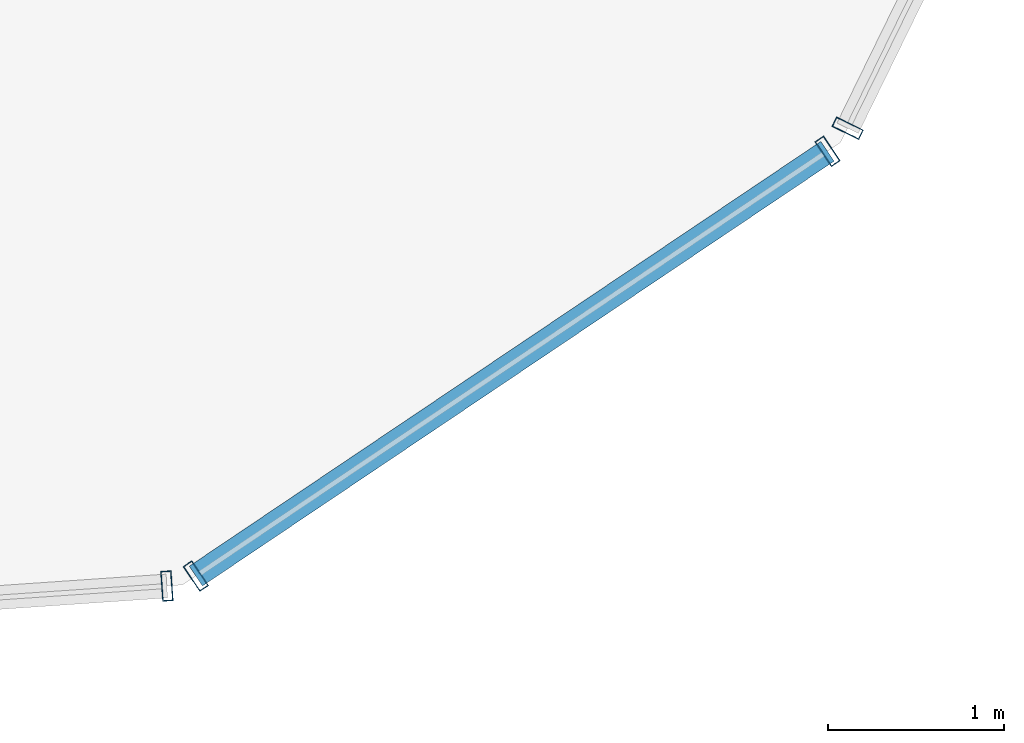
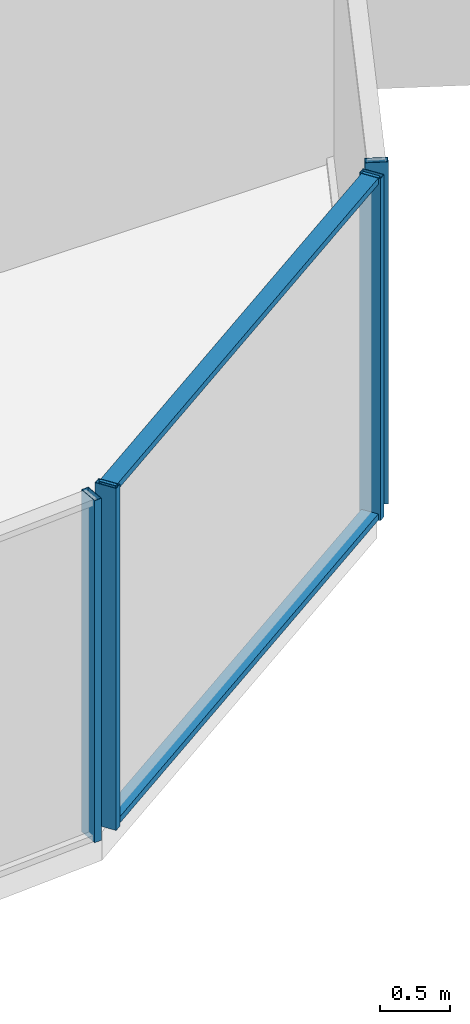
# One storey, part 14 of 37: 6 members, 3 elements without a shape of their own.
"""IFC4 building model written with IfcOpenShell, lengths in metres."""

from ifc_helpers import new_model, si_unit, direction, frame, origin, origin_2d, place, context, subcontext, project, spatial, hollow_rectangle, extrude, source, transform, mapped, material, layer, layer_set, material_profile, profile_set, type_object, element, aggregate, save


model = new_model("IFC4")

# Units and contexts
model_context = context("Model", 3, precision=1e-05, world=origin(), true_north=direction((0.0, 1.0)))
body_context = subcontext(model_context, "Body", "Model", "MODEL_VIEW")
ifc_project = project(units=[si_unit("LENGTHUNIT", "METRE"), si_unit("AREAUNIT", "SQUARE_METRE"), si_unit("VOLUMEUNIT", "CUBIC_METRE"), si_unit("PLANEANGLEUNIT", "RADIAN"), si_unit("MASSUNIT", "GRAM", prefix="KILO")], contexts=[model_context])

# Site, building, storey
site_placement = place(None, origin())
site = spatial("IfcSite", under=ifc_project, at=site_placement, CompositionType="ELEMENT")
building_placement = place(site_placement, origin())
building = spatial("IfcBuilding", under=site, at=building_placement, Name="Veraguas Prism Commons", CompositionType="ELEMENT")
storey_placement = place(building_placement, frame((0.0, 0.0, 37.050048828125)))
storey = spatial("IfcBuildingStorey", under=building, at=storey_placement, Name="L09", CompositionType="ELEMENT", Elevation=37.050048828125)

# Curtain wall, members
ifc_material = material(Name="Anodised aluminium EN AW-6063 T6", Category="aluminium")
ifc_layer = layer(ifc_material, 0.169921875, Name="Unitised Flush Curtain Wall Zone 1", Category="aluminium")
ifc_layer_set = layer_set([ifc_layer], Name="Anodised aluminium EN AW-6063 T6")
curtain_wall_type = type_object("IfcCurtainWallType", Name="Unitised Flush Curtain Wall Zone 1", PredefinedType="NOTDEFINED", material=ifc_layer_set)
curtain_wall_1_placement = place(storey_placement, origin())
curtain_wall_1 = element("IfcCurtainWall", 1, at=curtain_wall_1_placement, inside=storey, type_object=curtain_wall_type, Name="Chamfer Curtain Wall L09-C6", PredefinedType="NOTDEFINED")
ifc_material_profile_1 = material_profile(ifc_material, hollow_rectangle(XDim=0.054931640625, YDim=0.135009765625, WallThickness=0.0029296875, at=origin_2d()), Name="AL55X135X3")
ifc_profile_set_1 = profile_set([ifc_material_profile_1], Name="Anodised aluminium EN AW-6063 T6")
member_type_1 = type_object("IfcMemberType", Name="Curtain Wall Transom Standard AL 55x135x3", PredefinedType="USERDEFINED", material=ifc_profile_set_1)
shared_shape_1 = source(origin(), body_context, "Body", "SweptSolid", [
    extrude(hollow_rectangle(XDim=0.054931640625, YDim=0.135009765625, WallThickness=0.0029296875, at=origin_2d()), origin(), (0.0, 0.0, 1.0), 4.31982421875),
])
member_1_placement = place(storey_placement, frame((34.87548828125, 3.95703125, 0.02734375), z_axis=(0.829817752571, 0.558034494918, 0.0), x_axis=(0.0, 0.0, 1.0)))
member_1 = element("IfcMember", 2, at=member_1_placement, type_object=member_type_1, Name="CW-Z1 Transom 1", ObjectType="TRANSOM", PredefinedType="USERDEFINED", context=body_context, shape_type="MappedRepresentation", body=[
    mapped(shared_shape_1, transform((0.0, 0.0, 0.0), scale=1.0)),
])
member_2_placement = place(storey_placement, frame((34.87548828125, 3.95703125, 2.972412109375), z_axis=(0.829817752571, 0.558034494918, 0.0), x_axis=(0.0, 0.0, 1.0)))
member_2 = element("IfcMember", 3, at=member_2_placement, type_object=member_type_1, Name="CW-Z1 Transom 2", ObjectType="TRANSOM", PredefinedType="USERDEFINED", context=body_context, shape_type="MappedRepresentation", body=[
    mapped(shared_shape_1, transform((0.0, 0.0, 0.0), scale=1.0)),
])

# Curtain wall, member
curtain_wall_2_placement = place(storey_placement, origin())
curtain_wall_2 = element("IfcCurtainWall", 4, at=curtain_wall_2_placement, inside=storey, type_object=curtain_wall_type, Name="Tower Facade Curtain Wall L09-F5", PredefinedType="NOTDEFINED")
ifc_material_profile_2 = material_profile(ifc_material, hollow_rectangle(XDim=0.06005859375, YDim=0.169921875, WallThickness=0.00390625, at=origin_2d()), Name="AL60X170X4")
ifc_profile_set_2 = profile_set([ifc_material_profile_2], Name="Anodised aluminium EN AW-6063 T6")
member_type_2 = type_object("IfcMemberType", Name="Curtain Wall Mullion Lower AL 60x170x4", PredefinedType="MULLION", material=ifc_profile_set_2)
shared_shape_2 = source(origin(), body_context, "Body", "SweptSolid", [
    extrude(hollow_rectangle(XDim=0.06005859375, YDim=0.169921875, WallThickness=0.00390625, at=origin_2d()), origin(), (0.0, 0.0, 1.0), 3.0),
])
member_3_placement = place(storey_placement, frame((34.7109375, 3.900634765625, 0.0), z_axis=(0.0, 0.0, 1.0), x_axis=(0.997660476238, 0.068363544026, 0.0)))
member_3 = element("IfcMember", 5, at=member_3_placement, type_object=member_type_2, Name="CW-Z1 Mullion 5", PredefinedType="MULLION", context=body_context, shape_type="MappedRepresentation", body=[
    mapped(shared_shape_2, transform((0.0, 0.0, 0.0), scale=1.0)),
])
aggregate(curtain_wall_2, [member_3])

curtain_wall_3_placement = place(storey_placement, origin())
curtain_wall_3 = element("IfcCurtainWall", 6, at=curtain_wall_3_placement, inside=storey, type_object=curtain_wall_type, Name="Tower Facade Curtain Wall L09-F6", PredefinedType="NOTDEFINED")
member_4_placement = place(storey_placement, frame((38.57470703125, 6.498779296875, 0.0), z_axis=(0.0, 0.0, 1.0), x_axis=(0.4396256723, 0.898181088787, 0.0)))
member_4 = element("IfcMember", 7, at=member_4_placement, type_object=member_type_2, Name="CW-Z1 Mullion 1", PredefinedType="MULLION", context=body_context, shape_type="MappedRepresentation", body=[
    mapped(shared_shape_2, transform((0.0, 0.0, 0.0), scale=1.0)),
])
aggregate(curtain_wall_3, [member_4])

# Member
member_5_placement = place(storey_placement, frame((34.87548828125, 3.95703125, 0.0), z_axis=(0.0, 0.0, 1.0), x_axis=(0.82982728418, 0.558020320805, 0.0)))
member_5 = element("IfcMember", 8, at=member_5_placement, type_object=member_type_2, Name="CW-Z1 Mullion 1", PredefinedType="MULLION", context=body_context, shape_type="MappedRepresentation", body=[
    mapped(shared_shape_2, transform((0.0, 0.0, 0.0), scale=1.0)),
])

member_6_placement = place(storey_placement, frame((38.460205078125, 6.36767578125, 0.0), z_axis=(0.0, 0.0, 1.0), x_axis=(0.82982728418, 0.558020320805, 0.0)))
member_6 = element("IfcMember", 9, at=member_6_placement, type_object=member_type_2, Name="CW-Z1 Mullion 2", PredefinedType="MULLION", context=body_context, shape_type="MappedRepresentation", body=[
    mapped(shared_shape_2, transform((0.0, 0.0, 0.0), scale=1.0)),
])

aggregate(curtain_wall_1, [member_5, member_6, member_1, member_2])

save(model, "model.ifc")
